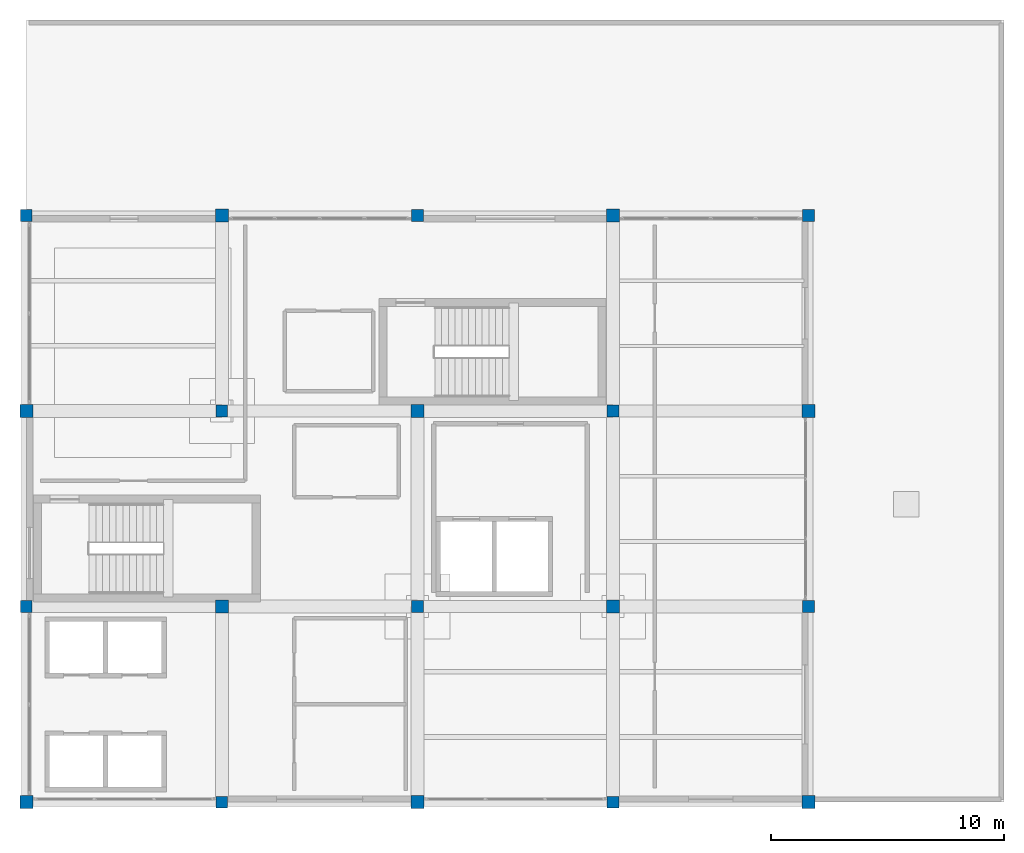
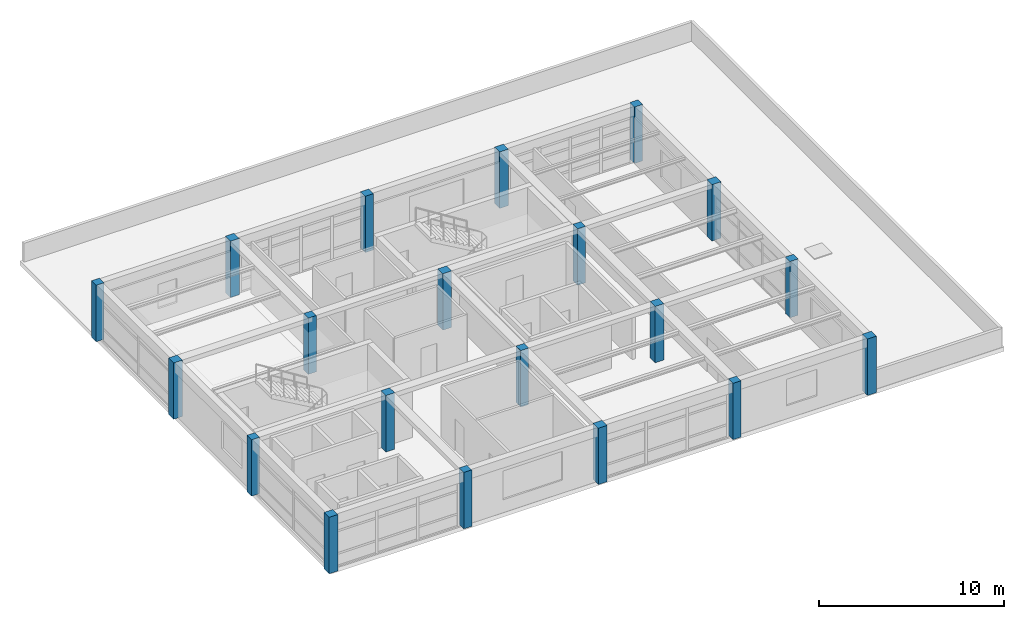
# One storey, part 1 of 22: 20 columns.
"""IFC4 building model written with IfcOpenShell, lengths in metres."""

from ifc_helpers import new_model, si_unit, direction, frame, origin, origin_2d, place, context, subcontext, project, spatial, rectangle, extrude, material, material_profile, profile_set, type_object, element, save


model = new_model("IFC4")

# Units and contexts
model_context = context("Model", 3, precision=1e-05, world=origin(), true_north=direction((0.0, 1.0)))
body_context = subcontext(model_context, "Body", "Model", "MODEL_VIEW")
ifc_project = project(units=[si_unit("LENGTHUNIT", "METRE"), si_unit("AREAUNIT", "SQUARE_METRE"), si_unit("VOLUMEUNIT", "CUBIC_METRE"), si_unit("PLANEANGLEUNIT", "RADIAN"), si_unit("MASSUNIT", "GRAM", prefix="KILO")], contexts=[model_context])

# Site, building, storey
site_placement = place(None, origin())
site = spatial("IfcSite", under=ifc_project, at=site_placement, CompositionType="ELEMENT")
building_placement = place(site_placement, origin())
building = spatial("IfcBuilding", under=site, at=building_placement, Name="Almacenes y Pasaje Nevantli", CompositionType="ELEMENT")
storey_placement = place(building_placement, frame((0.0, 0.0, 58.699951171875)))
storey = spatial("IfcBuildingStorey", under=building, at=storey_placement, Name="L14", CompositionType="ELEMENT", Elevation=58.699951171875)

# Columns
ifc_material_1 = material(Name="Concrete C45/55", Category="concrete")
ifc_material_profile_1 = material_profile(ifc_material_1, rectangle(XDim=0.5, YDim=0.5, at=origin_2d()), Name="RC-COL-500x500")
ifc_profile_set_1 = profile_set([ifc_material_profile_1], Name="Concrete C45/55")
column_type_1 = type_object("IfcColumnType", Name="COL-RC-500", PredefinedType="COLUMN", material=ifc_profile_set_1)
for number, where, z_axis, x_axis, name in (
    (1, (117.60009765625, 75.60009765625, 0.0), (0.0, 0.0, 1.0), (1.0, 0.0, 0.0), "L14 Reinforced Concrete Column CL-10 #2332"),
    (2, (117.60009765625, 92.39990234375, 0.0), (0.0, 0.0, 1.0), (1.0, 0.0, 0.0), "L14 Reinforced Concrete Column CL-10 #2334"),
    (3, (126.0, 67.199951171875, 0.0), (0.0, 0.0, 1.0), (1.0, 0.0, 0.0), "L14 Reinforced Concrete Column CL-10 #2335"),
    (4, (126.0, 84.0, 0.0), (0.0, 0.0, 1.0), (1.0, 0.0, 0.0), "L14 Reinforced Concrete Column CL-10 #2337"),
    (5, (134.39990234375, 75.60009765625, 0.0), (0.0, 0.0, 1.0), (1.0, 0.0, 0.0), "L14 Reinforced Concrete Column CL-10 #2340"),
    (6, (134.39990234375, 92.39990234375, 0.0), (0.0, 0.0, 1.0), (1.0, 0.0, 0.0), "L14 Reinforced Concrete Column CL-10 #2342"),
    (7, (142.800048828125, 67.199951171875, 0.0), (0.0, 0.0, 1.0), (1.0, 0.0, 0.0), "L14 Reinforced Concrete Column CL-10 #2343"),
    (8, (142.800048828125, 84.0, 0.0), (0.0, 0.0, 1.0), (1.0, 0.0, 0.0), "L14 Reinforced Concrete Column CL-10 #2345"),
    (9, (151.199951171875, 75.60009765625, 0.0), (0.0, 0.0, 1.0), (1.0, 0.0, 0.0), "L14 Reinforced Concrete Column CL-10 #2348"),
    (10, (151.199951171875, 92.39990234375, 0.0), (0.0, 0.0, 1.0), (1.0, 0.0, 0.0), "L14 Reinforced Concrete Column CL-10 #2350"),
):
    element("IfcColumn", number, at=place(storey_placement, frame(where, z_axis=z_axis, x_axis=x_axis)), inside=storey, type_object=column_type_1, Name=name, PredefinedType="COLUMN", context=body_context, shape_type="SweptSolid", body=[
        extrude(rectangle(XDim=0.5, YDim=0.5, at=origin_2d()), origin(), (0.0, 0.0, 1.0), 3.719970703125),
    ])
ifc_material_2 = material(Name="Concrete C45/55", Category="concrete")
ifc_material_profile_2 = material_profile(ifc_material_2, rectangle(XDim=0.550048828125, YDim=0.550048828125, at=origin_2d()), Name="RC-COL-550x550")
ifc_profile_set_2 = profile_set([ifc_material_profile_2], Name="Concrete C45/55")
column_type_2 = type_object("IfcColumnType", Name="COL-RC-550", PredefinedType="COLUMN", material=ifc_profile_set_2)
for number, where, z_axis, x_axis, name in (
    (11, (117.60009765625, 67.199951171875, 0.0), (0.0, 0.0, 1.0), (1.0, 0.0, 0.0), "L14 Reinforced Concrete Column CL-09 #2331"),
    (12, (117.60009765625, 84.0, 0.0), (0.0, 0.0, 1.0), (1.0, 0.0, 0.0), "L14 Reinforced Concrete Column CL-09 #2333"),
    (13, (126.0, 75.60009765625, 0.0), (0.0, 0.0, 1.0), (1.0, 0.0, 0.0), "L14 Reinforced Concrete Column CL-09 #2336"),
    (14, (126.0, 92.39990234375, 0.0), (0.0, 0.0, 1.0), (1.0, 0.0, 0.0), "L14 Reinforced Concrete Column CL-09 #2338"),
    (15, (134.39990234375, 67.199951171875, 0.0), (0.0, 0.0, 1.0), (1.0, 0.0, 0.0), "L14 Reinforced Concrete Column CL-09 #2339"),
    (16, (134.39990234375, 84.0, 0.0), (0.0, 0.0, 1.0), (1.0, 0.0, 0.0), "L14 Reinforced Concrete Column CL-09 #2341"),
    (17, (142.800048828125, 75.60009765625, 0.0), (0.0, 0.0, 1.0), (1.0, 0.0, 0.0), "L14 Reinforced Concrete Column CL-09 #2344"),
    (18, (142.800048828125, 92.39990234375, 0.0), (0.0, 0.0, 1.0), (1.0, 0.0, 0.0), "L14 Reinforced Concrete Column CL-09 #2346"),
    (19, (151.199951171875, 67.199951171875, 0.0), (0.0, 0.0, 1.0), (1.0, 0.0, 0.0), "L14 Reinforced Concrete Column CL-09 #2347"),
    (20, (151.199951171875, 84.0, 0.0), (0.0, 0.0, 1.0), (1.0, 0.0, 0.0), "L14 Reinforced Concrete Column CL-09 #2349"),
):
    element("IfcColumn", number, at=place(storey_placement, frame(where, z_axis=z_axis, x_axis=x_axis)), inside=storey, type_object=column_type_2, Name=name, PredefinedType="COLUMN", context=body_context, shape_type="SweptSolid", body=[
        extrude(rectangle(XDim=0.550048828125, YDim=0.550048828125, at=origin_2d()), origin(), (0.0, 0.0, 1.0), 3.719970703125),
    ])

save(model, "model.ifc")
